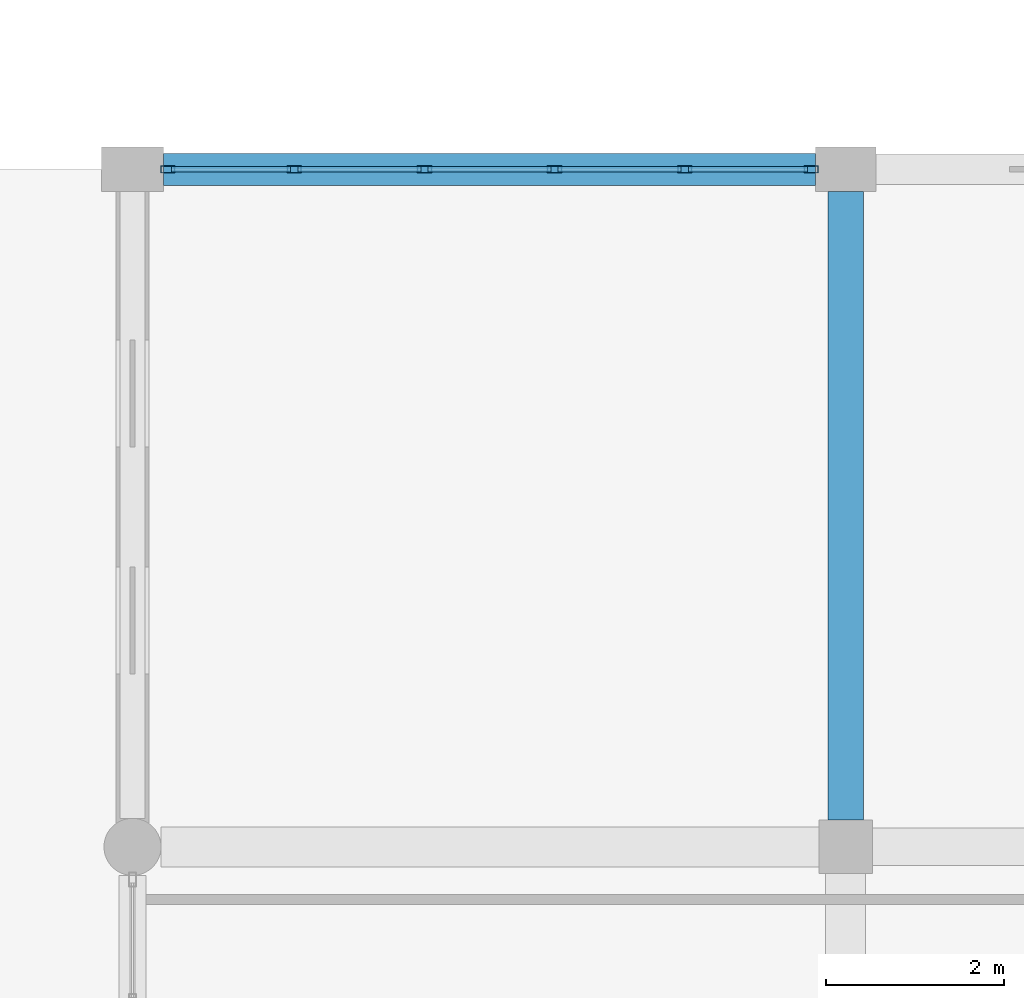
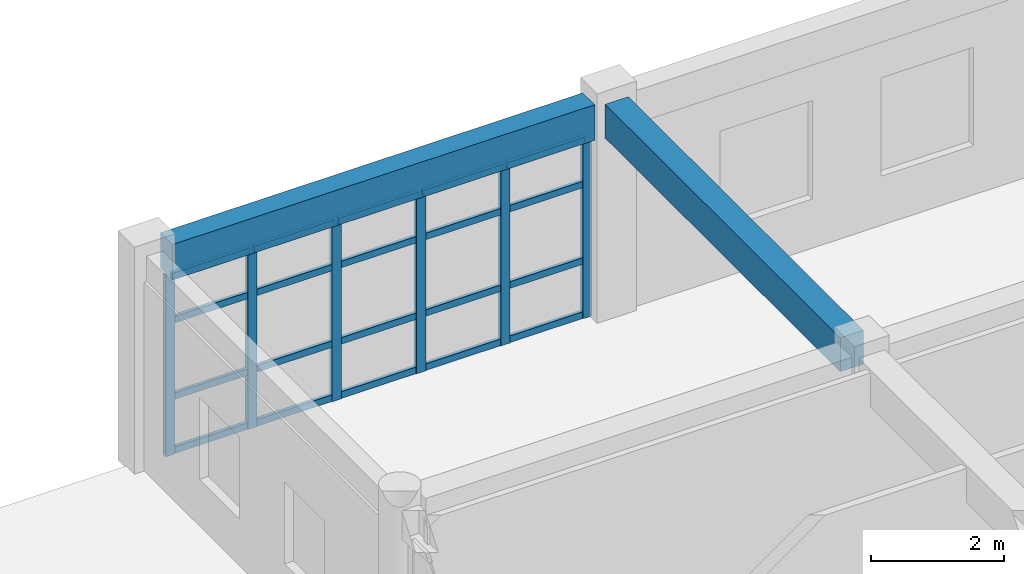
# One storey, part 35 of 121: 26 members, 2 beams, 1 element without a shape of its own.
"""IFC4 building model written with IfcOpenShell, lengths in metres."""

from ifc_helpers import new_model, si_unit, direction, frame, origin, origin_2d, place, context, subcontext, project, spatial, rectangle, hollow_rectangle, extrude, material, material_profile, profile_set, type_object, element, aggregate, save


model = new_model("IFC4")

# Units and contexts
model_context = context("Model", 3, precision=1e-05, world=origin(), true_north=direction((0.0, 1.0)))
body_context = subcontext(model_context, "Body", "Model", "MODEL_VIEW")
ifc_project = project(units=[si_unit("LENGTHUNIT", "METRE"), si_unit("AREAUNIT", "SQUARE_METRE"), si_unit("VOLUMEUNIT", "CUBIC_METRE"), si_unit("PLANEANGLEUNIT", "RADIAN"), si_unit("MASSUNIT", "GRAM", prefix="KILO")], contexts=[model_context])

# Site, building, storey
site_placement = place(None, origin())
site = spatial("IfcSite", under=ifc_project, at=site_placement, CompositionType="ELEMENT")
building_placement = place(site_placement, origin())
building = spatial("IfcBuilding", under=site, at=building_placement, Name="Kharva Crest Polytechnic", CompositionType="ELEMENT")
storey_placement = place(building_placement, frame((0.0, 0.0, 13.199951171875)))
storey = spatial("IfcBuildingStorey", under=building, at=storey_placement, Name="L03", CompositionType="ELEMENT", Elevation=13.199951171875)

# Beam
ifc_material_1 = material(Name="Concrete C35/45", Category="concrete")
ifc_material_profile_1 = material_profile(ifc_material_1, rectangle(XDim=0.39990234375, YDim=0.6201171875, at=origin_2d()), Name="RECT 400 X 620")
ifc_profile_set_1 = profile_set([ifc_material_profile_1], Name="Concrete C35/45")
beam_type_1 = type_object("IfcBeamType", Name="BM-RC-400X620", PredefinedType="BEAM", material=ifc_profile_set_1)
beam_1_placement = place(storey_placement, frame((80.0, 15.5, 3.650146484375), z_axis=(0.0, 1.0, 0.0), x_axis=(-1.0, 0.0, 0.0)))
element("IfcBeam", 1, at=beam_1_placement, inside=storey, type_object=beam_type_1, Name="L03 Girder 11/C-D", PredefinedType="BEAM", context=body_context, shape_type="SweptSolid", body=[
    extrude(rectangle(XDim=0.39990234375, YDim=0.6201171875, at=origin_2d()), origin(), (0.0, 0.0, 1.0), 7.050048828125),
])

# Curtain wall, members
ifc_material_2 = material(Name="Tempered insulated glass", Category="glass")
curtain_wall_type = type_object("IfcCurtainWallType", Name="CW-SYS-COURT", PredefinedType="USERDEFINED", material=ifc_material_2)
curtain_wall_placement = place(storey_placement, origin())
curtain_wall = element("IfcCurtainWall", 2, at=curtain_wall_placement, inside=storey, type_object=curtain_wall_type, Name="L03 Glazed Curtain Wall CW-138", ObjectType="CURTAIN WALL", PredefinedType="USERDEFINED")
ifc_material_3 = material(Name="Steel S355", Category="steel")
ifc_material_profile_2 = material_profile(ifc_material_3, hollow_rectangle(XDim=0.080078125, YDim=0.159912109375, WallThickness=0.0048828125, at=origin_2d()), Name="RHS 160X80X5.0")
ifc_profile_set_2 = profile_set([ifc_material_profile_2], Name="Steel S355")
member_type_1 = type_object("IfcMemberType", Name="CWM-RHS160X80", PredefinedType="MULLION", material=ifc_profile_set_2)
member_1_placement = place(storey_placement, frame((79.614990234375, 22.800048828125, 0.0), z_axis=(0.0, 0.0, 1.0), x_axis=(0.0, -1.0, 0.0)))
member_1 = element("IfcMember", 3, at=member_1_placement, type_object=member_type_1, Name="CW-138 mullion 1", PredefinedType="MULLION", context=body_context, shape_type="SweptSolid", body=[
    extrude(hollow_rectangle(XDim=0.080078125, YDim=0.159912109375, WallThickness=0.0048828125, at=origin_2d()), origin(), (0.0, 0.0, 1.0), 3.31005859375),
])
member_2_placement = place(storey_placement, frame((78.195068359375, 22.800048828125, 0.0), z_axis=(0.0, 0.0, 1.0), x_axis=(0.0, -1.0, 0.0)))
member_2 = element("IfcMember", 4, at=member_2_placement, type_object=member_type_1, Name="CW-138 mullion 2", PredefinedType="MULLION", context=body_context, shape_type="SweptSolid", body=[
    extrude(hollow_rectangle(XDim=0.080078125, YDim=0.159912109375, WallThickness=0.0048828125, at=origin_2d()), origin(), (0.0, 0.0, 1.0), 3.31005859375),
])
member_3_placement = place(storey_placement, frame((76.735107421875, 22.800048828125, 0.0), z_axis=(0.0, 0.0, 1.0), x_axis=(0.0, -1.0, 0.0)))
member_3 = element("IfcMember", 5, at=member_3_placement, type_object=member_type_1, Name="CW-138 mullion 3", PredefinedType="MULLION", context=body_context, shape_type="SweptSolid", body=[
    extrude(hollow_rectangle(XDim=0.080078125, YDim=0.159912109375, WallThickness=0.0048828125, at=origin_2d()), origin(), (0.0, 0.0, 1.0), 3.31005859375),
])
member_4_placement = place(storey_placement, frame((75.27490234375, 22.800048828125, 0.0), z_axis=(0.0, 0.0, 1.0), x_axis=(0.0, -1.0, 0.0)))
member_4 = element("IfcMember", 6, at=member_4_placement, type_object=member_type_1, Name="CW-138 mullion 4", PredefinedType="MULLION", context=body_context, shape_type="SweptSolid", body=[
    extrude(hollow_rectangle(XDim=0.080078125, YDim=0.159912109375, WallThickness=0.0048828125, at=origin_2d()), origin(), (0.0, 0.0, 1.0), 3.31005859375),
])
member_5_placement = place(storey_placement, frame((73.81494140625, 22.800048828125, 0.0), z_axis=(0.0, 0.0, 1.0), x_axis=(0.0, -1.0, 0.0)))
member_5 = element("IfcMember", 7, at=member_5_placement, type_object=member_type_1, Name="CW-138 mullion 5", PredefinedType="MULLION", context=body_context, shape_type="SweptSolid", body=[
    extrude(hollow_rectangle(XDim=0.080078125, YDim=0.159912109375, WallThickness=0.0048828125, at=origin_2d()), origin(), (0.0, 0.0, 1.0), 3.31005859375),
])
member_6_placement = place(storey_placement, frame((72.39501953125, 22.800048828125, 0.0), z_axis=(0.0, 0.0, 1.0), x_axis=(0.0, -1.0, 0.0)))
member_6 = element("IfcMember", 8, at=member_6_placement, type_object=member_type_1, Name="CW-138 mullion 6", PredefinedType="MULLION", context=body_context, shape_type="SweptSolid", body=[
    extrude(hollow_rectangle(XDim=0.080078125, YDim=0.159912109375, WallThickness=0.0048828125, at=origin_2d()), origin(), (0.0, 0.0, 1.0), 3.31005859375),
])
ifc_material_profile_3 = material_profile(ifc_material_3, hollow_rectangle(XDim=0.06005859375, YDim=0.1201171875, WallThickness=0.00390625, at=origin_2d()), Name="RHS 120X60X4.0")
ifc_profile_set_3 = profile_set([ifc_material_profile_3], Name="Steel S355")
member_type_2 = type_object("IfcMemberType", Name="CWT-RHS120X60", PredefinedType="USERDEFINED", material=ifc_profile_set_3)
member_7_placement = place(storey_placement, frame((79.574951171875, 22.800048828125, 0.06005859375), z_axis=(-1.0, 0.0, 0.0), x_axis=(0.0, -1.0, 0.0)))
member_7 = element("IfcMember", 9, at=member_7_placement, type_object=member_type_2, Name="CW-138 transom 1.1", ObjectType="TRANSOM", PredefinedType="USERDEFINED", context=body_context, shape_type="SweptSolid", body=[
    extrude(hollow_rectangle(XDim=0.06005859375, YDim=0.1201171875, WallThickness=0.00390625, at=origin_2d()), origin(), (0.0, 0.0, 1.0), 1.33984375),
])
member_8_placement = place(storey_placement, frame((79.574951171875, 22.800048828125, 1.050048828125), z_axis=(-1.0, 0.0, 0.0), x_axis=(0.0, -1.0, 0.0)))
member_8 = element("IfcMember", 10, at=member_8_placement, type_object=member_type_2, Name="CW-138 transom 1.2", ObjectType="TRANSOM", PredefinedType="USERDEFINED", context=body_context, shape_type="SweptSolid", body=[
    extrude(hollow_rectangle(XDim=0.06005859375, YDim=0.1201171875, WallThickness=0.00390625, at=origin_2d()), origin(), (0.0, 0.0, 1.0), 1.33984375),
])
member_9_placement = place(storey_placement, frame((79.574951171875, 22.800048828125, 2.449951171875), z_axis=(-1.0, 0.0, 0.0), x_axis=(0.0, -1.0, 0.0)))
member_9 = element("IfcMember", 11, at=member_9_placement, type_object=member_type_2, Name="CW-138 transom 1.3", ObjectType="TRANSOM", PredefinedType="USERDEFINED", context=body_context, shape_type="SweptSolid", body=[
    extrude(hollow_rectangle(XDim=0.06005859375, YDim=0.1201171875, WallThickness=0.00390625, at=origin_2d()), origin(), (0.0, 0.0, 1.0), 1.33984375),
])
member_10_placement = place(storey_placement, frame((79.574951171875, 22.800048828125, 3.25), z_axis=(-1.0, 0.0, 0.0), x_axis=(0.0, -1.0, 0.0)))
member_10 = element("IfcMember", 12, at=member_10_placement, type_object=member_type_2, Name="CW-138 transom 1.4", ObjectType="TRANSOM", PredefinedType="USERDEFINED", context=body_context, shape_type="SweptSolid", body=[
    extrude(hollow_rectangle(XDim=0.06005859375, YDim=0.1201171875, WallThickness=0.00390625, at=origin_2d()), origin(), (0.0, 0.0, 1.0), 1.33984375),
])
member_11_placement = place(storey_placement, frame((78.155029296875, 22.800048828125, 0.06005859375), z_axis=(-1.0, 0.0, 0.0), x_axis=(0.0, -1.0, 0.0)))
member_11 = element("IfcMember", 13, at=member_11_placement, type_object=member_type_2, Name="CW-138 transom 2.1", ObjectType="TRANSOM", PredefinedType="USERDEFINED", context=body_context, shape_type="SweptSolid", body=[
    extrude(hollow_rectangle(XDim=0.06005859375, YDim=0.1201171875, WallThickness=0.00390625, at=origin_2d()), origin(), (0.0, 0.0, 1.0), 1.380126953125),
])
member_12_placement = place(storey_placement, frame((78.155029296875, 22.800048828125, 1.050048828125), z_axis=(-1.0, 0.0, 0.0), x_axis=(0.0, -1.0, 0.0)))
member_12 = element("IfcMember", 14, at=member_12_placement, type_object=member_type_2, Name="CW-138 transom 2.2", ObjectType="TRANSOM", PredefinedType="USERDEFINED", context=body_context, shape_type="SweptSolid", body=[
    extrude(hollow_rectangle(XDim=0.06005859375, YDim=0.1201171875, WallThickness=0.00390625, at=origin_2d()), origin(), (0.0, 0.0, 1.0), 1.380126953125),
])
member_13_placement = place(storey_placement, frame((78.155029296875, 22.800048828125, 2.449951171875), z_axis=(-1.0, 0.0, 0.0), x_axis=(0.0, -1.0, 0.0)))
member_13 = element("IfcMember", 15, at=member_13_placement, type_object=member_type_2, Name="CW-138 transom 2.3", ObjectType="TRANSOM", PredefinedType="USERDEFINED", context=body_context, shape_type="SweptSolid", body=[
    extrude(hollow_rectangle(XDim=0.06005859375, YDim=0.1201171875, WallThickness=0.00390625, at=origin_2d()), origin(), (0.0, 0.0, 1.0), 1.380126953125),
])
member_14_placement = place(storey_placement, frame((78.155029296875, 22.800048828125, 3.25), z_axis=(-1.0, 0.0, 0.0), x_axis=(0.0, -1.0, 0.0)))
member_14 = element("IfcMember", 16, at=member_14_placement, type_object=member_type_2, Name="CW-138 transom 2.4", ObjectType="TRANSOM", PredefinedType="USERDEFINED", context=body_context, shape_type="SweptSolid", body=[
    extrude(hollow_rectangle(XDim=0.06005859375, YDim=0.1201171875, WallThickness=0.00390625, at=origin_2d()), origin(), (0.0, 0.0, 1.0), 1.380126953125),
])
member_15_placement = place(storey_placement, frame((76.695068359375, 22.800048828125, 0.06005859375), z_axis=(-1.0, 0.0, 0.0), x_axis=(0.0, -1.0, 0.0)))
member_15 = element("IfcMember", 17, at=member_15_placement, type_object=member_type_2, Name="CW-138 transom 3.1", ObjectType="TRANSOM", PredefinedType="USERDEFINED", context=body_context, shape_type="SweptSolid", body=[
    extrude(hollow_rectangle(XDim=0.06005859375, YDim=0.1201171875, WallThickness=0.00390625, at=origin_2d()), origin(), (0.0, 0.0, 1.0), 1.380126953125),
])
member_16_placement = place(storey_placement, frame((76.695068359375, 22.800048828125, 1.050048828125), z_axis=(-1.0, 0.0, 0.0), x_axis=(0.0, -1.0, 0.0)))
member_16 = element("IfcMember", 18, at=member_16_placement, type_object=member_type_2, Name="CW-138 transom 3.2", ObjectType="TRANSOM", PredefinedType="USERDEFINED", context=body_context, shape_type="SweptSolid", body=[
    extrude(hollow_rectangle(XDim=0.06005859375, YDim=0.1201171875, WallThickness=0.00390625, at=origin_2d()), origin(), (0.0, 0.0, 1.0), 1.380126953125),
])
member_17_placement = place(storey_placement, frame((76.695068359375, 22.800048828125, 2.449951171875), z_axis=(-1.0, 0.0, 0.0), x_axis=(0.0, -1.0, 0.0)))
member_17 = element("IfcMember", 19, at=member_17_placement, type_object=member_type_2, Name="CW-138 transom 3.3", ObjectType="TRANSOM", PredefinedType="USERDEFINED", context=body_context, shape_type="SweptSolid", body=[
    extrude(hollow_rectangle(XDim=0.06005859375, YDim=0.1201171875, WallThickness=0.00390625, at=origin_2d()), origin(), (0.0, 0.0, 1.0), 1.380126953125),
])
member_18_placement = place(storey_placement, frame((76.695068359375, 22.800048828125, 3.25), z_axis=(-1.0, 0.0, 0.0), x_axis=(0.0, -1.0, 0.0)))
member_18 = element("IfcMember", 20, at=member_18_placement, type_object=member_type_2, Name="CW-138 transom 3.4", ObjectType="TRANSOM", PredefinedType="USERDEFINED", context=body_context, shape_type="SweptSolid", body=[
    extrude(hollow_rectangle(XDim=0.06005859375, YDim=0.1201171875, WallThickness=0.00390625, at=origin_2d()), origin(), (0.0, 0.0, 1.0), 1.380126953125),
])
member_19_placement = place(storey_placement, frame((75.235107421875, 22.800048828125, 0.06005859375), z_axis=(-1.0, 0.0, 0.0), x_axis=(0.0, -1.0, 0.0)))
member_19 = element("IfcMember", 21, at=member_19_placement, type_object=member_type_2, Name="CW-138 transom 4.1", ObjectType="TRANSOM", PredefinedType="USERDEFINED", context=body_context, shape_type="SweptSolid", body=[
    extrude(hollow_rectangle(XDim=0.06005859375, YDim=0.1201171875, WallThickness=0.00390625, at=origin_2d()), origin(), (0.0, 0.0, 1.0), 1.380126953125),
])
member_20_placement = place(storey_placement, frame((75.235107421875, 22.800048828125, 1.050048828125), z_axis=(-1.0, 0.0, 0.0), x_axis=(0.0, -1.0, 0.0)))
member_20 = element("IfcMember", 22, at=member_20_placement, type_object=member_type_2, Name="CW-138 transom 4.2", ObjectType="TRANSOM", PredefinedType="USERDEFINED", context=body_context, shape_type="SweptSolid", body=[
    extrude(hollow_rectangle(XDim=0.06005859375, YDim=0.1201171875, WallThickness=0.00390625, at=origin_2d()), origin(), (0.0, 0.0, 1.0), 1.380126953125),
])
member_21_placement = place(storey_placement, frame((75.235107421875, 22.800048828125, 2.449951171875), z_axis=(-1.0, 0.0, 0.0), x_axis=(0.0, -1.0, 0.0)))
member_21 = element("IfcMember", 23, at=member_21_placement, type_object=member_type_2, Name="CW-138 transom 4.3", ObjectType="TRANSOM", PredefinedType="USERDEFINED", context=body_context, shape_type="SweptSolid", body=[
    extrude(hollow_rectangle(XDim=0.06005859375, YDim=0.1201171875, WallThickness=0.00390625, at=origin_2d()), origin(), (0.0, 0.0, 1.0), 1.380126953125),
])
member_22_placement = place(storey_placement, frame((75.235107421875, 22.800048828125, 3.25), z_axis=(-1.0, 0.0, 0.0), x_axis=(0.0, -1.0, 0.0)))
member_22 = element("IfcMember", 24, at=member_22_placement, type_object=member_type_2, Name="CW-138 transom 4.4", ObjectType="TRANSOM", PredefinedType="USERDEFINED", context=body_context, shape_type="SweptSolid", body=[
    extrude(hollow_rectangle(XDim=0.06005859375, YDim=0.1201171875, WallThickness=0.00390625, at=origin_2d()), origin(), (0.0, 0.0, 1.0), 1.380126953125),
])
member_23_placement = place(storey_placement, frame((73.77490234375, 22.800048828125, 0.06005859375), z_axis=(-1.0, 0.0, 0.0), x_axis=(0.0, -1.0, 0.0)))
member_23 = element("IfcMember", 25, at=member_23_placement, type_object=member_type_2, Name="CW-138 transom 5.1", ObjectType="TRANSOM", PredefinedType="USERDEFINED", context=body_context, shape_type="SweptSolid", body=[
    extrude(hollow_rectangle(XDim=0.06005859375, YDim=0.1201171875, WallThickness=0.00390625, at=origin_2d()), origin(), (0.0, 0.0, 1.0), 1.33984375),
])
member_24_placement = place(storey_placement, frame((73.77490234375, 22.800048828125, 1.050048828125), z_axis=(-1.0, 0.0, 0.0), x_axis=(0.0, -1.0, 0.0)))
member_24 = element("IfcMember", 26, at=member_24_placement, type_object=member_type_2, Name="CW-138 transom 5.2", ObjectType="TRANSOM", PredefinedType="USERDEFINED", context=body_context, shape_type="SweptSolid", body=[
    extrude(hollow_rectangle(XDim=0.06005859375, YDim=0.1201171875, WallThickness=0.00390625, at=origin_2d()), origin(), (0.0, 0.0, 1.0), 1.33984375),
])
member_25_placement = place(storey_placement, frame((73.77490234375, 22.800048828125, 2.449951171875), z_axis=(-1.0, 0.0, 0.0), x_axis=(0.0, -1.0, 0.0)))
member_25 = element("IfcMember", 27, at=member_25_placement, type_object=member_type_2, Name="CW-138 transom 5.3", ObjectType="TRANSOM", PredefinedType="USERDEFINED", context=body_context, shape_type="SweptSolid", body=[
    extrude(hollow_rectangle(XDim=0.06005859375, YDim=0.1201171875, WallThickness=0.00390625, at=origin_2d()), origin(), (0.0, 0.0, 1.0), 1.33984375),
])
member_26_placement = place(storey_placement, frame((73.77490234375, 22.800048828125, 3.25), z_axis=(-1.0, 0.0, 0.0), x_axis=(0.0, -1.0, 0.0)))
member_26 = element("IfcMember", 28, at=member_26_placement, type_object=member_type_2, Name="CW-138 transom 5.4", ObjectType="TRANSOM", PredefinedType="USERDEFINED", context=body_context, shape_type="SweptSolid", body=[
    extrude(hollow_rectangle(XDim=0.06005859375, YDim=0.1201171875, WallThickness=0.00390625, at=origin_2d()), origin(), (0.0, 0.0, 1.0), 1.33984375),
])
aggregate(curtain_wall, [member_1, member_2, member_3, member_4, member_5, member_6, member_7, member_8, member_9, member_10, member_11, member_12, member_13, member_14, member_15, member_16, member_17, member_18, member_19, member_20, member_21, member_22, member_23, member_24, member_25, member_26])

# Beam
ifc_material_profile_4 = material_profile(ifc_material_1, rectangle(XDim=0.360107421875, YDim=0.64990234375, at=origin_2d()), Name="RECT 360 X 650")
ifc_profile_set_4 = profile_set([ifc_material_profile_4], Name="Concrete C35/45")
beam_type_2 = type_object("IfcBeamType", Name="SP-RC-360X650", PredefinedType="SPANDREL", material=ifc_profile_set_4)
beam_2_placement = place(storey_placement, frame((72.35009765625, 22.800048828125, 3.635009765625), z_axis=(1.0, 0.0, 0.0), x_axis=(0.0, 1.0, 0.0)))
element("IfcBeam", 29, at=beam_2_placement, inside=storey, type_object=beam_type_2, Name="L03 Beam D/10-11", PredefinedType="SPANDREL", context=body_context, shape_type="SweptSolid", body=[
    extrude(rectangle(XDim=0.360107421875, YDim=0.64990234375, at=origin_2d()), origin(), (0.0, 0.0, 1.0), 7.309814453125),
])

save(model, "model.ifc")
